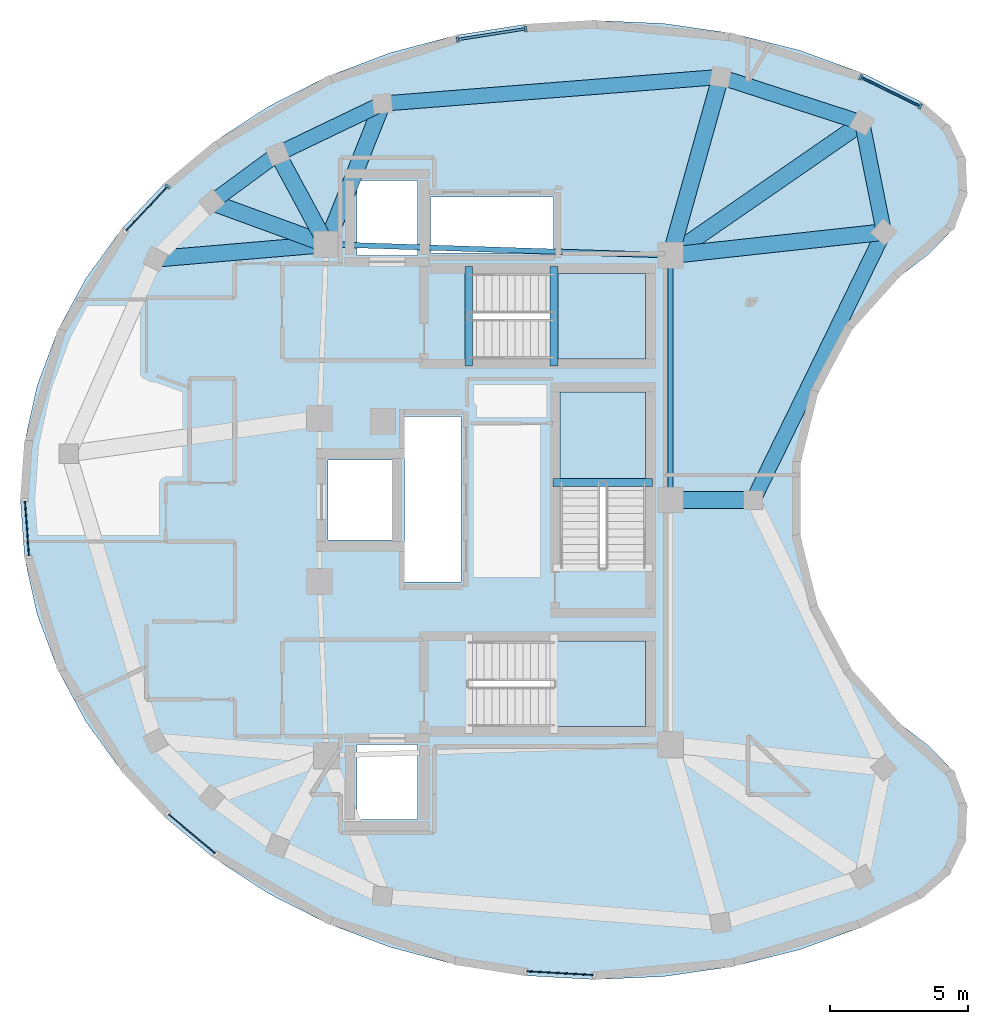
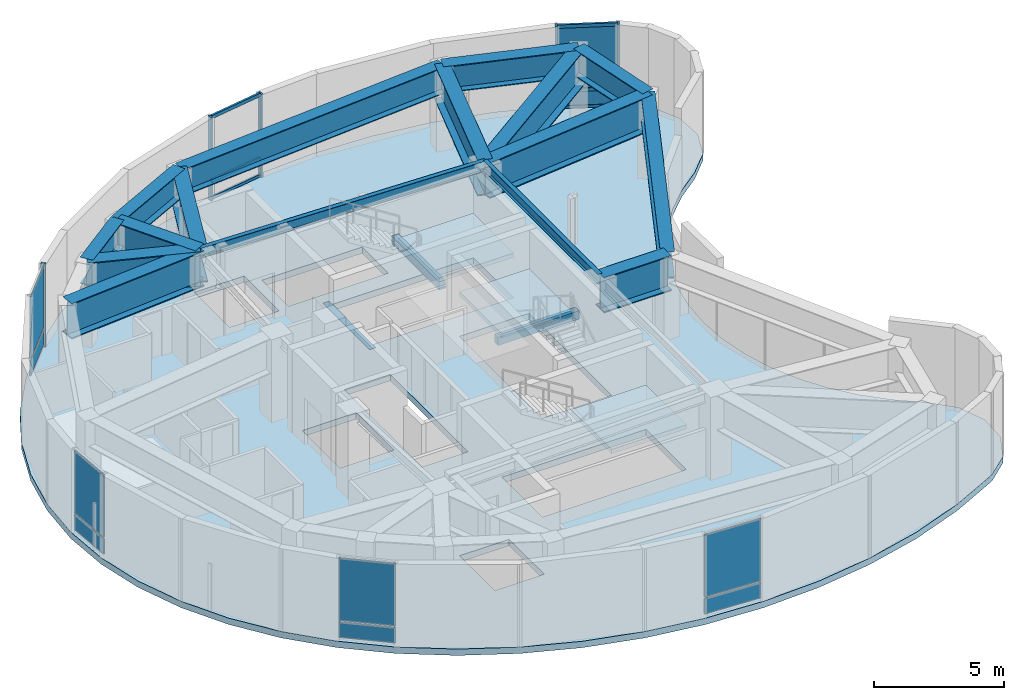
# One storey, part 2 of 6: 19 beams, 11 members, 10 plates, 4 slabs, 9 elements without a shape of their own.
"""IFC4 building model written with IfcOpenShell, lengths in metres."""

from ifc_helpers import new_model, si_unit, direction, frame, origin, origin_2d, place, context, subcontext, project, spatial, polyline, rectangle, i_section, outline, extrude, material, layer, layer_set, material_profile, profile_set, type_object, element, aggregate, save


model = new_model("IFC4")

# Units and contexts
model_context = context("Model", 3, precision=1e-05, world=origin(), true_north=direction((0.0, 1.0)))
body_context = subcontext(model_context, "Body", "Model", "MODEL_VIEW")
ifc_project = project(units=[si_unit("LENGTHUNIT", "METRE"), si_unit("AREAUNIT", "SQUARE_METRE"), si_unit("VOLUMEUNIT", "CUBIC_METRE"), si_unit("PLANEANGLEUNIT", "RADIAN"), si_unit("MASSUNIT", "GRAM", prefix="KILO")], contexts=[model_context])

# Site, building, storey
site_placement = place(None, origin())
site = spatial("IfcSite", under=ifc_project, at=site_placement, CompositionType="ELEMENT")
building_placement = place(site_placement, origin())
building = spatial("IfcBuilding", under=site, at=building_placement, Name="Korentha Bioscience Tower", CompositionType="ELEMENT")
storey_placement = place(building_placement, frame((0.0, 0.0, 327.0)))
storey = spatial("IfcBuildingStorey", under=building, at=storey_placement, Name="L75", CompositionType="ELEMENT", Elevation=327.0)

# Beams
ifc_material_1 = material(Name="Concrete C50", Category="concrete")
ifc_material_profile_1 = material_profile(ifc_material_1, rectangle(XDim=0.280029296875, YDim=0.3798828125, at=origin_2d()), Name="Concrete C50")
ifc_profile_set_1 = profile_set([ifc_material_profile_1], Name="Concrete C50 (ST-HB380)")
beam_type_1 = type_object("IfcBeamType", Name="Concrete Stair Header Beam RC 280x380", PredefinedType="BEAM", material=ifc_profile_set_1)
for number, where, z_axis, x_axis, name in (
    (1, (30.25, 31.85009765625, -0.18994140625), (0.0, 1.0, 0.0), (-1.0, 0.0, 0.0), "L75 ST-1 Concrete Stair Header Beam"),
    (2, (33.330078125, 31.85009765625, 1.909912109375), (0.0, 1.0, 0.0), (-1.0, 0.0, 0.0), "L75 ST-1 Half-Landing Header Beam 1"),
    (3, (36.89990234375, 27.6298828125, 1.909912109375), (-1.0, 0.0, 0.0), (0.0, -1.0, 0.0), "L75 ST-3 Half-Landing Header Beam 1"),
):
    element("IfcBeam", number, at=place(storey_placement, frame(where, z_axis=z_axis, x_axis=x_axis)), inside=storey, type_object=beam_type_1, Name=name, PredefinedType="BEAM", context=body_context, shape_type="SweptSolid", body=[
        extrude(rectangle(XDim=0.280029296875, YDim=0.3798828125, at=origin_2d()), origin(), (0.0, 0.0, 1.0), 3.599853515625),
    ])
ifc_material_2 = material(Name="Steel S355", Category="steel")
ifc_material_profile_2 = material_profile(ifc_material_2, i_section(OverallWidth=0.550048828125, OverallDepth=1.25, WebThickness=0.02392578125, FlangeThickness=0.0400390625, at=origin_2d()), Name="Steel S355")
ifc_profile_set_2 = profile_set([ifc_material_profile_2], Name="Steel S355 (TG-03)")
beam_type_2 = type_object("IfcBeamType", Name="Crown Step Transfer Girder CVS 1250x510", PredefinedType="USERDEFINED", material=ifc_profile_set_2)
beam_1_placement = place(storey_placement, frame((44.480712890625, 40.642578125, 3.27490234375), z_axis=(-0.951305452587, 0.308249794612, 0.0), x_axis=(-0.308249794612, -0.951305452587, 0.0)))
element("IfcBeam", 4, at=beam_1_placement, inside=storey, type_object=beam_type_2, Name="L75 Perimeter Spandrel Girder 01", ObjectType="TRANSFER_GIRDER", PredefinedType="USERDEFINED", context=body_context, shape_type="SweptSolid", body=[
    extrude(i_section(OverallWidth=0.550048828125, OverallDepth=1.25, WebThickness=0.02392578125, FlangeThickness=0.0400390625, at=origin_2d()), origin(), (0.0, 0.0, 1.0), 5.387451171875),
])
beam_2_placement = place(storey_placement, frame((39.355712890625, 42.30322265625, 3.27490234375), z_axis=(-0.996897819937, -0.078706649057, 0.0), x_axis=(0.078706649057, -0.996897819937, 0.0)))
element("IfcBeam", 5, at=beam_2_placement, inside=storey, type_object=beam_type_2, Name="L75 Perimeter Spandrel Girder 02", ObjectType="TRANSFER_GIRDER", PredefinedType="USERDEFINED", context=body_context, shape_type="SweptSolid", body=[
    extrude(i_section(OverallWidth=0.550048828125, OverallDepth=1.25, WebThickness=0.02392578125, FlangeThickness=0.0400390625, at=origin_2d()), origin(), (0.0, 0.0, 1.0), 12.26806640625),
])
beam_3_placement = place(storey_placement, frame((27.125732421875, 41.337646484375, 3.27490234375), z_axis=(-0.901549348472, -0.432676290396, 0.0), x_axis=(0.432676290396, -0.901549348472, 0.0)))
element("IfcBeam", 6, at=beam_3_placement, inside=storey, type_object=beam_type_2, Name="L75 Perimeter Spandrel Girder 03", ObjectType="TRANSFER_GIRDER", PredefinedType="USERDEFINED", context=body_context, shape_type="SweptSolid", body=[
    extrude(i_section(OverallWidth=0.550048828125, OverallDepth=1.25, WebThickness=0.02392578125, FlangeThickness=0.0400390625, at=origin_2d()), origin(), (0.0, 0.0, 1.0), 4.201904296875),
])
beam_4_placement = place(storey_placement, frame((23.33740234375, 39.51953125, 3.27490234375), z_axis=(-0.806404995856, -0.591363663628, 0.0), x_axis=(0.591363663628, -0.806404995856, 0.0)))
element("IfcBeam", 7, at=beam_4_placement, inside=storey, type_object=beam_type_2, Name="L75 Perimeter Spandrel Girder 04", ObjectType="TRANSFER_GIRDER", PredefinedType="USERDEFINED", context=body_context, shape_type="SweptSolid", body=[
    extrude(i_section(OverallWidth=0.550048828125, OverallDepth=1.25, WebThickness=0.02392578125, FlangeThickness=0.0400390625, at=origin_2d()), origin(), (0.0, 0.0, 1.0), 2.9609375),
])
beam_5_placement = place(storey_placement, frame((40.5419921875, 27.0, 3.27490234375), z_axis=(0.438159475862, 0.898897254258, 0.0), x_axis=(-0.898897254258, 0.438159475862, 0.0)))
element("IfcBeam", 8, at=beam_5_placement, inside=storey, type_object=beam_type_2, Name="L75 Perimeter Spandrel Girder 15", ObjectType="TRANSFER_GIRDER", PredefinedType="USERDEFINED", context=body_context, shape_type="SweptSolid", body=[
    extrude(i_section(OverallWidth=0.550048828125, OverallDepth=1.25, WebThickness=0.02392578125, FlangeThickness=0.0400390625, at=origin_2d()), origin(), (0.0, 0.0, 1.0), 10.780517578125),
])
beam_6_placement = place(storey_placement, frame((45.265625, 36.690673828125, 3.27490234375), z_axis=(-0.194810852243, 0.980840829008, 0.0), x_axis=(-0.980840829008, -0.194810852243, 0.0)))
element("IfcBeam", 9, at=beam_6_placement, inside=storey, type_object=beam_type_2, Name="L75 Perimeter Spandrel Girder 16", ObjectType="TRANSFER_GIRDER", PredefinedType="USERDEFINED", context=body_context, shape_type="SweptSolid", body=[
    extrude(i_section(OverallWidth=0.550048828125, OverallDepth=1.25, WebThickness=0.02392578125, FlangeThickness=0.0400390625, at=origin_2d()), origin(), (0.0, 0.0, 1.0), 4.029052734375),
])
ifc_material_profile_3 = material_profile(ifc_material_2, i_section(OverallWidth=0.60009765625, OverallDepth=1.64990234375, WebThickness=0.02587890625, FlangeThickness=0.0439453125, at=origin_2d()), Name="Steel S355")
ifc_profile_set_3 = profile_set([ifc_material_profile_3], Name="Steel S355 (TG-04)")
beam_type_3 = type_object("IfcBeamType", Name="Deep Setback Transfer Girder CVS 1650x620", PredefinedType="USERDEFINED", material=ifc_profile_set_3)
beam_7_placement = place(storey_placement, frame((37.550048828125, 35.85009765625, 3.074951171875), z_axis=(0.82250706845, 0.568754887758, 0.0), x_axis=(-0.568754887758, 0.82250706845, 0.0)))
element("IfcBeam", 10, at=beam_7_placement, inside=storey, type_object=beam_type_3, Name="L75 Radial Transfer Girder 01", ObjectType="TRANSFER_GIRDER", PredefinedType="USERDEFINED", context=body_context, shape_type="SweptSolid", body=[
    extrude(i_section(OverallWidth=0.60009765625, OverallDepth=1.64990234375, WebThickness=0.02587890625, FlangeThickness=0.0439453125, at=origin_2d()), origin(), (0.0, 0.0, 1.0), 8.42626953125),
])
beam_8_placement = place(storey_placement, frame((37.550048828125, 35.85009765625, 3.074951171875), z_axis=(0.269462348846, 0.96301092546, 0.0), x_axis=(-0.96301092546, 0.269462348846, 0.0)))
element("IfcBeam", 11, at=beam_8_placement, inside=storey, type_object=beam_type_3, Name="L75 Radial Transfer Girder 02", ObjectType="TRANSFER_GIRDER", PredefinedType="USERDEFINED", context=body_context, shape_type="SweptSolid", body=[
    extrude(i_section(OverallWidth=0.60009765625, OverallDepth=1.64990234375, WebThickness=0.02587890625, FlangeThickness=0.0439453125, at=origin_2d()), origin(), (0.0, 0.0, 1.0), 6.700927734375),
])
beam_9_placement = place(storey_placement, frame((25.10009765625, 36.25, 3.074951171875), z_axis=(0.369906658461, 0.929068923184, 0.0), x_axis=(-0.929068923184, 0.369906658461, 0.0)))
element("IfcBeam", 12, at=beam_9_placement, inside=storey, type_object=beam_type_3, Name="L75 Radial Transfer Girder 03", ObjectType="TRANSFER_GIRDER", PredefinedType="USERDEFINED", context=body_context, shape_type="SweptSolid", body=[
    extrude(i_section(OverallWidth=0.60009765625, OverallDepth=1.64990234375, WebThickness=0.02587890625, FlangeThickness=0.0439453125, at=origin_2d()), origin(), (0.0, 0.0, 1.0), 5.47607421875),
])
beam_10_placement = place(storey_placement, frame((25.10009765625, 36.25, 3.074951171875), z_axis=(-0.474554427081, 0.880226161698, 0.0), x_axis=(-0.880226161698, -0.474554427081, 0.0)))
element("IfcBeam", 13, at=beam_10_placement, inside=storey, type_object=beam_type_3, Name="L75 Radial Transfer Girder 04", ObjectType="TRANSFER_GIRDER", PredefinedType="USERDEFINED", context=body_context, shape_type="SweptSolid", body=[
    extrude(i_section(OverallWidth=0.60009765625, OverallDepth=1.64990234375, WebThickness=0.02587890625, FlangeThickness=0.0439453125, at=origin_2d()), origin(), (0.0, 0.0, 1.0), 3.71435546875),
])
beam_11_placement = place(storey_placement, frame((25.10009765625, 36.25, 3.074951171875), z_axis=(-0.939114156855, 0.34360529739, 0.0), x_axis=(-0.34360529739, -0.939114156855, 0.0)))
element("IfcBeam", 14, at=beam_11_placement, inside=storey, type_object=beam_type_3, Name="L75 Radial Transfer Girder 05", ObjectType="TRANSFER_GIRDER", PredefinedType="USERDEFINED", context=body_context, shape_type="SweptSolid", body=[
    extrude(i_section(OverallWidth=0.60009765625, OverallDepth=1.64990234375, WebThickness=0.02587890625, FlangeThickness=0.0439453125, at=origin_2d()), origin(), (0.0, 0.0, 1.0), 4.41943359375),
])
beam_12_placement = place(storey_placement, frame((25.10009765625, 36.25, 3.074951171875), z_axis=(-0.996386404459, -0.084936052474, 0.0), x_axis=(0.084936052474, -0.996386404459, 0.0)))
element("IfcBeam", 15, at=beam_12_placement, inside=storey, type_object=beam_type_3, Name="L75 Radial Transfer Girder 06", ObjectType="TRANSFER_GIRDER", PredefinedType="USERDEFINED", context=body_context, shape_type="SweptSolid", body=[
    extrude(i_section(OverallWidth=0.60009765625, OverallDepth=1.64990234375, WebThickness=0.02587890625, FlangeThickness=0.0439453125, at=origin_2d()), origin(), (0.0, 0.0, 1.0), 6.208740234375),
])
beam_13_placement = place(storey_placement, frame((37.550048828125, 27.0, 3.074951171875), z_axis=(1.0, 0.0, 0.0), x_axis=(0.0, 1.0, 0.0)))
element("IfcBeam", 16, at=beam_13_placement, inside=storey, type_object=beam_type_3, Name="L75 Radial Transfer Girder 15", ObjectType="TRANSFER_GIRDER", PredefinedType="USERDEFINED", context=body_context, shape_type="SweptSolid", body=[
    extrude(i_section(OverallWidth=0.60009765625, OverallDepth=1.64990234375, WebThickness=0.02587890625, FlangeThickness=0.0439453125, at=origin_2d()), origin(), (0.0, 0.0, 1.0), 2.991943359375),
])
beam_14_placement = place(storey_placement, frame((37.550048828125, 35.85009765625, 3.074951171875), z_axis=(0.994117766085, 0.108304511237, 0.0), x_axis=(-0.108304511237, 0.994117766085, 0.0)))
element("IfcBeam", 17, at=beam_14_placement, inside=storey, type_object=beam_type_3, Name="L75 Radial Transfer Girder 16", ObjectType="TRANSFER_GIRDER", PredefinedType="USERDEFINED", context=body_context, shape_type="SweptSolid", body=[
    extrude(i_section(OverallWidth=0.60009765625, OverallDepth=1.64990234375, WebThickness=0.02587890625, FlangeThickness=0.0439453125, at=origin_2d()), origin(), (0.0, 0.0, 1.0), 7.76123046875),
])
ifc_material_profile_4 = material_profile(ifc_material_2, i_section(OverallWidth=0.18994140625, OverallDepth=0.45703125, WebThickness=0.009033203125, FlangeThickness=0.014404296875, at=origin_2d()), Name="Steel S355")
ifc_profile_set_4 = profile_set([ifc_material_profile_4], Name="Steel S355 (MB-460)")
beam_type_4 = type_object("IfcBeamType", Name="Mid-Ring Tie Girder W460x74", PredefinedType="BEAM", material=ifc_profile_set_4)
beam_15_placement = place(storey_placement, frame((37.550048828125, 35.85009765625, 3.67138671875), z_axis=(-0.999484526071, 0.032104238723, 0.0), x_axis=(-0.032104238723, -0.999484526071, 0.0)))
element("IfcBeam", 18, at=beam_15_placement, inside=storey, type_object=beam_type_4, Name="L75 Core Ring Tie Girder 01", PredefinedType="BEAM", context=body_context, shape_type="SweptSolid", body=[
    extrude(i_section(OverallWidth=0.18994140625, OverallDepth=0.45703125, WebThickness=0.009033203125, FlangeThickness=0.014404296875, at=origin_2d()), origin(), (0.0, 0.0, 1.0), 12.456298828125),
])
beam_16_placement = place(storey_placement, frame((37.550048828125, 27.0, 3.67138671875), z_axis=(0.0, 1.0, 0.0), x_axis=(-1.0, 0.0, 0.0)))
element("IfcBeam", 19, at=beam_16_placement, inside=storey, type_object=beam_type_4, Name="L75 Core Ring Tie Girder 07", PredefinedType="BEAM", context=body_context, shape_type="SweptSolid", body=[
    extrude(i_section(OverallWidth=0.18994140625, OverallDepth=0.45703125, WebThickness=0.009033203125, FlangeThickness=0.014404296875, at=origin_2d()), origin(), (0.0, 0.0, 1.0), 8.85009765625),
])

# Curtain wall, members
ifc_material_3 = material(Name="Structural Silicone Glazed Aluminium", Category="aluminium")
ifc_layer_1 = layer(ifc_material_3, 0.219970703125, Name="Structural Silicone Glazed Aluminium")
ifc_layer_set_1 = layer_set([ifc_layer_1], Name="Structural Silicone Glazed Aluminium (CW-O1)")
curtain_wall_type = type_object("IfcCurtainWallType", Name="Sky Observatory Acoustic Curtain Wall CW-O1", PredefinedType="USERDEFINED", material=ifc_layer_set_1)
curtain_wall_1_placement = place(storey_placement, origin())
curtain_wall_1 = element("IfcCurtainWall", 20, at=curtain_wall_1_placement, inside=storey, type_object=curtain_wall_type, Name="L75 Curtain Wall 01", ObjectType="UNITISED", PredefinedType="USERDEFINED")
ifc_material_4 = material(Name="Anodised Aluminium 6063-T6", Category="aluminium")
ifc_material_profile_5 = material_profile(ifc_material_4, rectangle(XDim=0.090087890625, YDim=0.199951171875, at=origin_2d()), Name="Anodised Aluminium 6063-T6")
ifc_profile_set_5 = profile_set([ifc_material_profile_5], Name="Anodised Aluminium 6063-T6 (CW-MUL)")
member_type_1 = type_object("IfcMemberType", Name="Mullion RECT 90x200", PredefinedType="MULLION", material=ifc_profile_set_5)
member_1_placement = place(storey_placement, frame((46.58349609375, 41.239013671875, 0.0), z_axis=(0.0, 0.0, 1.0), x_axis=(-0.8982012062, 0.439584568861, 0.0)))
member_1 = element("IfcMember", 21, at=member_1_placement, type_object=member_type_1, Name="CW-L75-01 Mullion 1", PredefinedType="MULLION", context=body_context, shape_type="SweptSolid", body=[
    extrude(rectangle(XDim=0.090087890625, YDim=0.199951171875, at=origin_2d()), origin(), (0.0, 0.0, 1.0), 3.89990234375),
])
member_2_placement = place(storey_placement, frame((44.427490234375, 42.294189453125, 0.0), z_axis=(0.0, 0.0, 1.0), x_axis=(-0.8982012062, 0.439584568861, 0.0)))
member_2 = element("IfcMember", 22, at=member_2_placement, type_object=member_type_1, Name="CW-L75-01 Mullion 2", PredefinedType="MULLION", context=body_context, shape_type="SweptSolid", body=[
    extrude(rectangle(XDim=0.090087890625, YDim=0.199951171875, at=origin_2d()), origin(), (0.0, 0.0, 1.0), 3.89990234375),
])

curtain_wall_2_placement = place(storey_placement, origin())
curtain_wall_2 = element("IfcCurtainWall", 23, at=curtain_wall_2_placement, inside=storey, type_object=curtain_wall_type, Name="L75 Curtain Wall 07", ObjectType="UNITISED", PredefinedType="USERDEFINED")
member_3_placement = place(storey_placement, frame((32.306640625, 44.04541015625, 0.0), z_axis=(0.0, 0.0, 1.0), x_axis=(-0.987779298439, -0.155859095258, 0.0)))
member_3 = element("IfcMember", 24, at=member_3_placement, type_object=member_type_1, Name="CW-L75-07 Mullion 1", PredefinedType="MULLION", context=body_context, shape_type="SweptSolid", body=[
    extrude(rectangle(XDim=0.090087890625, YDim=0.199951171875, at=origin_2d()), origin(), (0.0, 0.0, 1.0), 3.89990234375),
])
member_4_placement = place(storey_placement, frame((29.8466796875, 43.656982421875, 0.0), z_axis=(0.0, 0.0, 1.0), x_axis=(-0.987779298439, -0.155859095258, 0.0)))
member_4 = element("IfcMember", 25, at=member_4_placement, type_object=member_type_1, Name="CW-L75-07 Mullion 2", PredefinedType="MULLION", context=body_context, shape_type="SweptSolid", body=[
    extrude(rectangle(XDim=0.090087890625, YDim=0.199951171875, at=origin_2d()), origin(), (0.0, 0.0, 1.0), 3.89990234375),
])

# Curtain wall, member
curtain_wall_3_placement = place(storey_placement, origin())
curtain_wall_3 = element("IfcCurtainWall", 26, at=curtain_wall_3_placement, inside=storey, type_object=curtain_wall_type, Name="L75 Curtain Wall 13", ObjectType="UNITISED", PredefinedType="USERDEFINED")
member_5_placement = place(storey_placement, frame((19.359130859375, 38.343017578125, 0.0), z_axis=(0.0, 0.0, 1.0), x_axis=(-0.684388080906, -0.729117929223, 0.0)))
member_5 = element("IfcMember", 27, at=member_5_placement, type_object=member_type_1, Name="CW-L75-13 Mullion 1", PredefinedType="MULLION", context=body_context, shape_type="SweptSolid", body=[
    extrude(rectangle(XDim=0.090087890625, YDim=0.199951171875, at=origin_2d()), origin(), (0.0, 0.0, 1.0), 3.89990234375),
])

# Member
ifc_material_profile_6 = material_profile(ifc_material_4, rectangle(XDim=0.090087890625, YDim=0.159912109375, at=origin_2d()), Name="Anodised Aluminium 6063-T6")
ifc_profile_set_6 = profile_set([ifc_material_profile_6], Name="Anodised Aluminium 6063-T6 (CW-TRN)")
member_type_2 = type_object("IfcMemberType", Name="Transom RECT 90x160", PredefinedType="USERDEFINED", material=ifc_profile_set_6)
member_6_placement = place(storey_placement, frame((46.543212890625, 41.2587890625, 0.044921875), z_axis=(-0.898219384767, 0.43954742273, 0.0), x_axis=(-0.43954742273, -0.898219384767, 0.0)))
member_6 = element("IfcMember", 28, at=member_6_placement, type_object=member_type_2, Name="CW-L75-01 Bay 1 Transom 1", ObjectType="TRANSOM", PredefinedType="USERDEFINED", context=body_context, shape_type="SweptSolid", body=[
    extrude(rectangle(XDim=0.090087890625, YDim=0.159912109375, at=origin_2d()), origin(), (0.0, 0.0, 1.0), 2.310546875),
])

member_7_placement = place(storey_placement, frame((46.543212890625, 41.2587890625, 0.85009765625), z_axis=(-0.898219384767, 0.43954742273, 0.0), x_axis=(-0.43954742273, -0.898219384767, 0.0)))
member_7 = element("IfcMember", 29, at=member_7_placement, type_object=member_type_2, Name="CW-L75-01 Bay 1 Transom 2", ObjectType="TRANSOM", PredefinedType="USERDEFINED", context=body_context, shape_type="SweptSolid", body=[
    extrude(rectangle(XDim=0.090087890625, YDim=0.159912109375, at=origin_2d()), origin(), (0.0, 0.0, 1.0), 2.310546875),
])

member_8_placement = place(storey_placement, frame((46.543212890625, 41.2587890625, 3.85498046875), z_axis=(-0.898219384767, 0.43954742273, 0.0), x_axis=(-0.43954742273, -0.898219384767, 0.0)))
member_8 = element("IfcMember", 30, at=member_8_placement, type_object=member_type_2, Name="CW-L75-01 Bay 1 Transom 3", ObjectType="TRANSOM", PredefinedType="USERDEFINED", context=body_context, shape_type="SweptSolid", body=[
    extrude(rectangle(XDim=0.090087890625, YDim=0.159912109375, at=origin_2d()), origin(), (0.0, 0.0, 1.0), 2.310546875),
])

member_9_placement = place(storey_placement, frame((32.26220703125, 44.038330078125, 0.044921875), z_axis=(-0.987770386013, -0.15591556855, 0.0), x_axis=(0.15591556855, -0.987770386013, 0.0)))
member_9 = element("IfcMember", 31, at=member_9_placement, type_object=member_type_2, Name="CW-L75-07 Bay 1 Transom 1", ObjectType="TRANSOM", PredefinedType="USERDEFINED", context=body_context, shape_type="SweptSolid", body=[
    extrude(rectangle(XDim=0.090087890625, YDim=0.159912109375, at=origin_2d()), origin(), (0.0, 0.0, 1.0), 2.400390625),
])

member_10_placement = place(storey_placement, frame((32.26220703125, 44.038330078125, 0.85009765625), z_axis=(-0.987770386013, -0.15591556855, 0.0), x_axis=(0.15591556855, -0.987770386013, 0.0)))
member_10 = element("IfcMember", 32, at=member_10_placement, type_object=member_type_2, Name="CW-L75-07 Bay 1 Transom 2", ObjectType="TRANSOM", PredefinedType="USERDEFINED", context=body_context, shape_type="SweptSolid", body=[
    extrude(rectangle(XDim=0.090087890625, YDim=0.159912109375, at=origin_2d()), origin(), (0.0, 0.0, 1.0), 2.400390625),
])

member_11_placement = place(storey_placement, frame((32.26220703125, 44.038330078125, 3.85498046875), z_axis=(-0.987770386013, -0.15591556855, 0.0), x_axis=(0.15591556855, -0.987770386013, 0.0)))
member_11 = element("IfcMember", 33, at=member_11_placement, type_object=member_type_2, Name="CW-L75-07 Bay 1 Transom 3", ObjectType="TRANSOM", PredefinedType="USERDEFINED", context=body_context, shape_type="SweptSolid", body=[
    extrude(rectangle(XDim=0.090087890625, YDim=0.159912109375, at=origin_2d()), origin(), (0.0, 0.0, 1.0), 2.400390625),
])

aggregate(curtain_wall_2, [member_3, member_4, member_9, member_10, member_11])

# Plate
ifc_material_5 = material(Name="Triple-Glazed Low-E Insulated Glass", Category="glass")
ifc_layer_2 = layer(ifc_material_5, 0.0439453125, Name="Triple-Glazed Low-E Insulated Glass")
ifc_layer_set_2 = layer_set([ifc_layer_2], Name="Triple-Glazed Low-E Insulated Glass (GL-44)")
plate_type = type_object("IfcPlateType", Name="Glazed Panel 44mm", PredefinedType="CURTAIN_PANEL", material=ifc_layer_set_2)
plate_1_placement = place(storey_placement, frame((45.505615234375, 41.7666015625, 0.08984375), z_axis=(0.0, 0.0, 1.0), x_axis=(-0.8982012062, 0.439584568861, 0.0)))
plate_1 = element("IfcPlate", 34, at=plate_1_placement, type_object=plate_type, Name="CW-L75-01 Bay 1 Glazed Panel 1", PredefinedType="CURTAIN_PANEL", context=body_context, shape_type="SweptSolid", body=[
    extrude(rectangle(XDim=2.310546875, YDim=0.0439453125, at=origin_2d()), origin(), (0.0, 0.0, 1.0), 0.715087890625),
])

plate_2_placement = place(storey_placement, frame((45.505615234375, 41.7666015625, 0.89501953125), z_axis=(0.0, 0.0, 1.0), x_axis=(-0.8982012062, 0.439584568861, 0.0)))
plate_2 = element("IfcPlate", 35, at=plate_2_placement, type_object=plate_type, Name="CW-L75-01 Bay 1 Glazed Panel 2", PredefinedType="CURTAIN_PANEL", context=body_context, shape_type="SweptSolid", body=[
    extrude(rectangle(XDim=2.310546875, YDim=0.0439453125, at=origin_2d()), origin(), (0.0, 0.0, 1.0), 2.9150390625),
])

aggregate(curtain_wall_1, [member_1, member_2, member_6, member_7, member_8, plate_1, plate_2])

plate_3_placement = place(storey_placement, frame((18.590576171875, 37.52392578125, 0.08984375), z_axis=(0.0, 0.0, 1.0), x_axis=(-0.684388080906, -0.729117929223, 0.0)))
plate_3 = element("IfcPlate", 36, at=plate_3_placement, type_object=plate_type, Name="CW-L75-13 Bay 1 Glazed Panel 1", PredefinedType="CURTAIN_PANEL", context=body_context, shape_type="SweptSolid", body=[
    extrude(rectangle(XDim=2.15625, YDim=0.0439453125, at=origin_2d()), origin(), (0.0, 0.0, 1.0), 0.715087890625),
])

plate_4_placement = place(storey_placement, frame((18.590576171875, 37.52392578125, 0.89501953125), z_axis=(0.0, 0.0, 1.0), x_axis=(-0.684388080906, -0.729117929223, 0.0)))
plate_4 = element("IfcPlate", 37, at=plate_4_placement, type_object=plate_type, Name="CW-L75-13 Bay 1 Glazed Panel 2", PredefinedType="CURTAIN_PANEL", context=body_context, shape_type="SweptSolid", body=[
    extrude(rectangle(XDim=2.15625, YDim=0.0439453125, at=origin_2d()), origin(), (0.0, 0.0, 1.0), 2.9150390625),
])

aggregate(curtain_wall_3, [member_5, plate_3, plate_4])

# Curtain wall, plates
curtain_wall_4_placement = place(storey_placement, origin())
curtain_wall_4 = element("IfcCurtainWall", 38, at=curtain_wall_4_placement, inside=storey, type_object=curtain_wall_type, Name="L75 Curtain Wall 19", ObjectType="UNITISED", PredefinedType="USERDEFINED")
plate_5_placement = place(storey_placement, frame((14.268310546875, 25.97119140625, 0.08984375), z_axis=(0.0, 0.0, 1.0), x_axis=(0.072434664299, -0.997373159559, 0.0)))
plate_5 = element("IfcPlate", 39, at=plate_5_placement, type_object=plate_type, Name="CW-L75-19 Bay 1 Glazed Panel 1", PredefinedType="CURTAIN_PANEL", context=body_context, shape_type="SweptSolid", body=[
    extrude(rectangle(XDim=1.986083984375, YDim=0.0439453125, at=origin_2d()), origin(), (0.0, 0.0, 1.0), 0.715087890625),
])
plate_6_placement = place(storey_placement, frame((14.268310546875, 25.97119140625, 0.89501953125), z_axis=(0.0, 0.0, 1.0), x_axis=(0.072434664299, -0.997373159559, 0.0)))
plate_6 = element("IfcPlate", 40, at=plate_6_placement, type_object=plate_type, Name="CW-L75-19 Bay 1 Glazed Panel 2", PredefinedType="CURTAIN_PANEL", context=body_context, shape_type="SweptSolid", body=[
    extrude(rectangle(XDim=1.986083984375, YDim=0.0439453125, at=origin_2d()), origin(), (0.0, 0.0, 1.0), 2.9150390625),
])
aggregate(curtain_wall_4, [plate_5, plate_6])

curtain_wall_5_placement = place(storey_placement, origin())
curtain_wall_5 = element("IfcCurtainWall", 41, at=curtain_wall_5_placement, inside=storey, type_object=curtain_wall_type, Name="L75 Curtain Wall 25", ObjectType="UNITISED", PredefinedType="USERDEFINED")
plate_7_placement = place(storey_placement, frame((20.23388671875, 14.927001953125, 0.08984375), z_axis=(0.0, 0.0, 1.0), x_axis=(0.767458607387, -0.641098499411, 0.0)))
plate_7 = element("IfcPlate", 42, at=plate_7_placement, type_object=plate_type, Name="CW-L75-25 Bay 1 Glazed Panel 1", PredefinedType="CURTAIN_PANEL", context=body_context, shape_type="SweptSolid", body=[
    extrude(rectangle(XDim=2.20751953125, YDim=0.0439453125, at=origin_2d()), origin(), (0.0, 0.0, 1.0), 0.715087890625),
])
plate_8_placement = place(storey_placement, frame((20.23388671875, 14.927001953125, 0.89501953125), z_axis=(0.0, 0.0, 1.0), x_axis=(0.767458607387, -0.641098499411, 0.0)))
plate_8 = element("IfcPlate", 43, at=plate_8_placement, type_object=plate_type, Name="CW-L75-25 Bay 1 Glazed Panel 2", PredefinedType="CURTAIN_PANEL", context=body_context, shape_type="SweptSolid", body=[
    extrude(rectangle(XDim=2.20751953125, YDim=0.0439453125, at=origin_2d()), origin(), (0.0, 0.0, 1.0), 2.9150390625),
])
aggregate(curtain_wall_5, [plate_7, plate_8])

curtain_wall_6_placement = place(storey_placement, origin())
curtain_wall_6 = element("IfcCurtainWall", 44, at=curtain_wall_6_placement, inside=storey, type_object=curtain_wall_type, Name="L75 Curtain Wall 31", ObjectType="UNITISED", PredefinedType="USERDEFINED")
plate_9_placement = place(storey_placement, frame((33.550048828125, 9.885009765625, 0.08984375), z_axis=(0.0, 0.0, 1.0), x_axis=(0.998412873247, -0.056318154571, 0.0)))
plate_9 = element("IfcPlate", 45, at=plate_9_placement, type_object=plate_type, Name="CW-L75-31 Bay 1 Glazed Panel 1", PredefinedType="CURTAIN_PANEL", context=body_context, shape_type="SweptSolid", body=[
    extrude(rectangle(XDim=2.412353515625, YDim=0.0439453125, at=origin_2d()), origin(), (0.0, 0.0, 1.0), 0.715087890625),
])
plate_10_placement = place(storey_placement, frame((33.550048828125, 9.885009765625, 0.89501953125), z_axis=(0.0, 0.0, 1.0), x_axis=(0.998412873247, -0.056318154571, 0.0)))
plate_10 = element("IfcPlate", 46, at=plate_10_placement, type_object=plate_type, Name="CW-L75-31 Bay 1 Glazed Panel 2", PredefinedType="CURTAIN_PANEL", context=body_context, shape_type="SweptSolid", body=[
    extrude(rectangle(XDim=2.412353515625, YDim=0.0439453125, at=origin_2d()), origin(), (0.0, 0.0, 1.0), 2.9150390625),
])
aggregate(curtain_wall_6, [plate_9, plate_10])

# Slab
ifc_layer_3 = layer(ifc_material_1, 0.300048828125, Name="Concrete C50")
ifc_layer_set_3 = layer_set([ifc_layer_3], Name="Concrete C50 (SL-L300)")
slab_type_1 = type_object("IfcSlabType", Name="Laboratory Vibration-Controlled Slab 300", PredefinedType="FLOOR", material=ifc_layer_set_3)
slab_1_placement = place(storey_placement, frame((0.0, 0.0, -0.300048828125)))
element("IfcSlab", 47, at=slab_1_placement, inside=storey, type_object=slab_type_1, Name="L75 Tower Structural Floor Slab", PredefinedType="FLOOR", context=body_context, shape_type="SweptSolid", body=[
    extrude(outline(polyline([(46.658447265625, 41.380615234375), (44.4931640625, 42.440185546875), (42.1904296875, 43.27685546875), (39.783203125, 43.87841796875), (37.30615234375, 44.236328125), (34.79541015625, 44.345458984375), (32.286865234375, 44.2041015625), (29.81689453125, 43.814208984375), (27.421142578125, 43.181884765625), (25.13427734375, 42.315673828125), (22.989013671875, 41.228271484375), (21.016845703125, 39.935546875), (19.245849609375, 38.4560546875), (17.701904296875, 36.81103515625), (16.40673828125, 35.0244140625), (15.379638671875, 33.121826171875), (14.63525390625, 31.131103515625), (14.184326171875, 29.08056640625), (14.033203125, 27.0), (14.184326171875, 24.91943359375), (14.63525390625, 22.868896484375), (15.379638671875, 20.878173828125), (16.40673828125, 18.9755859375), (17.701904296875, 17.18896484375), (19.245849609375, 15.5439453125), (21.016845703125, 14.064453125), (22.989013671875, 12.771728515625), (25.13427734375, 11.684326171875), (27.421142578125, 10.818115234375), (29.81689453125, 10.185791015625), (32.286865234375, 9.7958984375), (34.79541015625, 9.654541015625), (37.30615234375, 9.763671875), (39.783203125, 10.12158203125), (42.1904296875, 10.72314453125), (44.4931640625, 11.559814453125), (46.658447265625, 12.619384765625), (47.64501953125, 13.47412109375), (48.21240234375, 14.649658203125), (48.266845703125, 15.953857421875), (47.7998046875, 17.1728515625), (46.8876953125, 18.106689453125), (45.8486328125, 18.904052734375), (44.91455078125, 19.822021484375), (44.09912109375, 20.84716796875), (43.414794921875, 21.9638671875), (42.87158203125, 23.15576171875), (42.477783203125, 24.40478515625), (42.239013671875, 25.692626953125), (42.1591796875, 27.0), (42.239013671875, 28.307373046875), (42.477783203125, 29.59521484375), (42.87158203125, 30.84423828125), (43.414794921875, 32.0361328125), (44.09912109375, 33.15283203125), (44.91455078125, 34.177978515625), (45.8486328125, 35.095947265625), (46.8876953125, 35.893310546875), (47.7998046875, 36.8271484375), (48.266845703125, 38.046142578125), (48.21240234375, 39.350341796875), (47.64501953125, 40.52587890625), (46.658447265625, 41.380615234375)]), holes=[polyline([(30.25, 32.10009765625), (36.64990234375, 32.10009765625), (36.64990234375, 35.199951171875), (30.25, 35.199951171875), (30.25, 32.10009765625)]), polyline([(30.25, 18.800048828125), (36.64990234375, 18.800048828125), (36.64990234375, 21.89990234375), (30.25, 21.89990234375), (30.25, 18.800048828125)]), polyline([(36.64990234375, 24.550048828125), (36.64990234375, 30.89990234375), (33.550048828125, 30.89990234375), (33.550048828125, 24.550048828125), (36.64990234375, 24.550048828125)]), polyline([(27.929931640625, 24.030029296875), (29.969970703125, 24.030029296875), (29.969970703125, 30.02001953125), (27.929931640625, 30.02001953125), (27.929931640625, 24.030029296875)]), polyline([(28.860107421875, 35.93994140625), (33.31005859375, 35.93994140625), (33.31005859375, 37.9599609375), (28.860107421875, 37.9599609375), (28.860107421875, 35.93994140625)]), polyline([(26.199951171875, 15.449951171875), (28.39990234375, 15.449951171875), (28.39990234375, 18.14990234375), (26.199951171875, 18.14990234375), (26.199951171875, 15.449951171875)]), polyline([(26.199951171875, 35.85009765625), (28.39990234375, 35.85009765625), (28.39990234375, 38.550048828125), (26.199951171875, 38.550048828125), (26.199951171875, 35.85009765625)]), polyline([(25.14990234375, 25.550048828125), (27.550048828125, 25.550048828125), (27.550048828125, 28.449951171875), (25.14990234375, 28.449951171875), (25.14990234375, 25.550048828125)])]), origin(), (0.0, 0.0, 1.0), 0.300048828125),
])

# Stair, slab
ifc_material_6 = material(Name="Precast Concrete C50", Category="concrete")
stair_type = type_object("IfcStairType", Name="Core Exit Dog-Leg Stair 1450", PredefinedType="HALF_TURN_STAIR", material=ifc_material_6)
stair_1_placement = place(storey_placement, origin())
stair_1 = element("IfcStair", 48, at=stair_1_placement, inside=storey, type_object=stair_type, Name="L75 Tower North Pressurized Exit Stair ST-1", PredefinedType="HALF_TURN_STAIR")
ifc_layer_4 = layer(ifc_material_1, 0.199951171875, Name="Concrete C50")
ifc_layer_set_4 = layer_set([ifc_layer_4], Name="Concrete C50 (SL-LND)")
slab_type_2 = type_object("IfcSlabType", Name="Landing Slab 200", PredefinedType="LANDING", material=ifc_layer_set_4)
slab_2_placement = place(storey_placement, frame((0.0, 0.0, 1.89990234375)))
slab_2 = element("IfcSlab", 49, at=slab_2_placement, type_object=slab_type_2, Name="ST-1 landing 1", PredefinedType="LANDING", context=body_context, shape_type="SweptSolid", body=[
    extrude(outline(polyline([(33.330078125, 32.10009765625), (36.64990234375, 32.10009765625), (36.64990234375, 35.199951171875), (33.330078125, 35.199951171875), (33.330078125, 32.10009765625)])), origin(), (0.0, 0.0, 1.0), 0.2001953125),
])
aggregate(stair_1, [slab_2])

stair_2_placement = place(storey_placement, origin())
stair_2 = element("IfcStair", 50, at=stair_2_placement, inside=storey, type_object=stair_type, Name="L75 Tower South Pressurized Exit Stair ST-2", PredefinedType="HALF_TURN_STAIR")
slab_3_placement = place(storey_placement, frame((0.0, 0.0, 1.89990234375)))
slab_3 = element("IfcSlab", 51, at=slab_3_placement, type_object=slab_type_2, Name="ST-2 landing 1", PredefinedType="LANDING", context=body_context, shape_type="SweptSolid", body=[
    extrude(outline(polyline([(33.330078125, 18.800048828125), (36.64990234375, 18.800048828125), (36.64990234375, 21.89990234375), (33.330078125, 21.89990234375), (33.330078125, 18.800048828125)])), origin(), (0.0, 0.0, 1.0), 0.2001953125),
])
aggregate(stair_2, [slab_3])

stair_3_placement = place(storey_placement, origin())
stair_3 = element("IfcStair", 52, at=stair_3_placement, inside=storey, type_object=stair_type, Name="L75 Tower Central Pressurized Exit Stair ST-3", PredefinedType="HALF_TURN_STAIR")
slab_4_placement = place(storey_placement, frame((0.0, 0.0, 1.89990234375)))
slab_4 = element("IfcSlab", 53, at=slab_4_placement, type_object=slab_type_2, Name="ST-3 landing 1", PredefinedType="LANDING", context=body_context, shape_type="SweptSolid", body=[
    extrude(outline(polyline([(36.64990234375, 27.6298828125), (36.64990234375, 30.89990234375), (33.550048828125, 30.89990234375), (33.550048828125, 27.6298828125), (36.64990234375, 27.6298828125)])), origin(), (0.0, 0.0, 1.0), 0.2001953125),
])
aggregate(stair_3, [slab_4])

save(model, "model.ifc")
